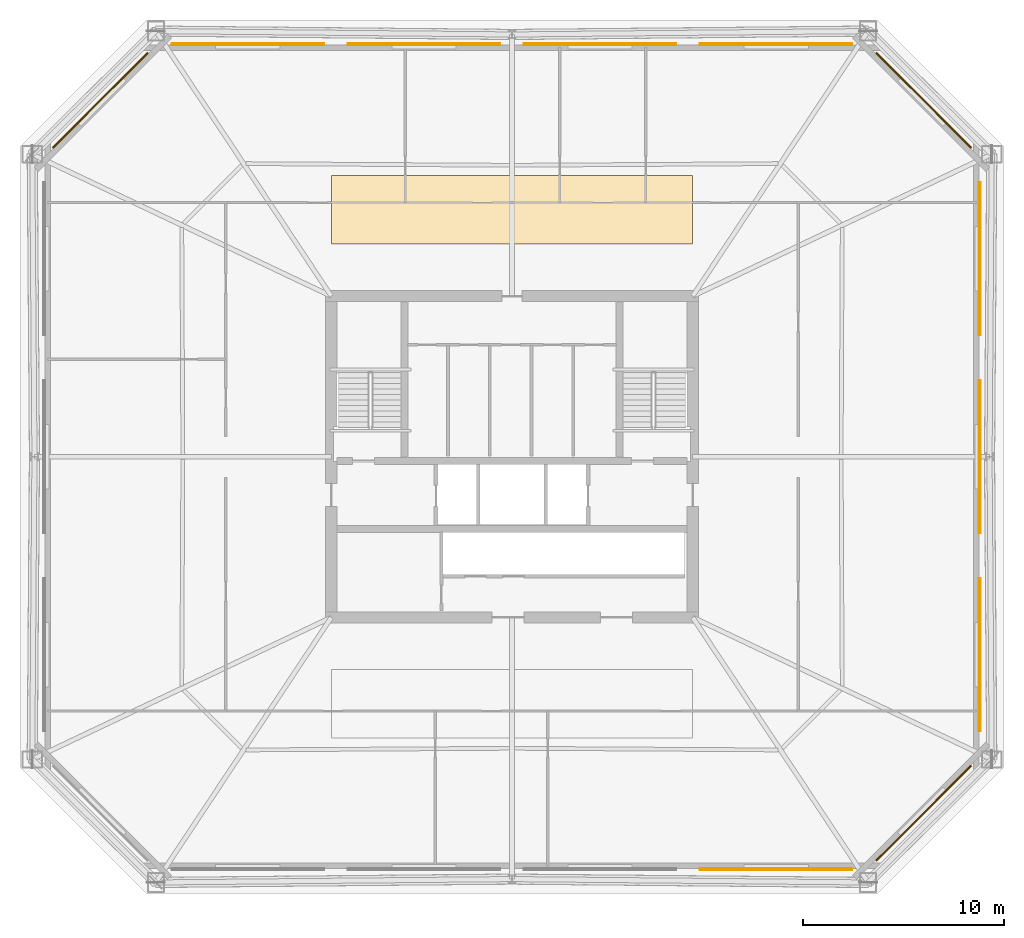
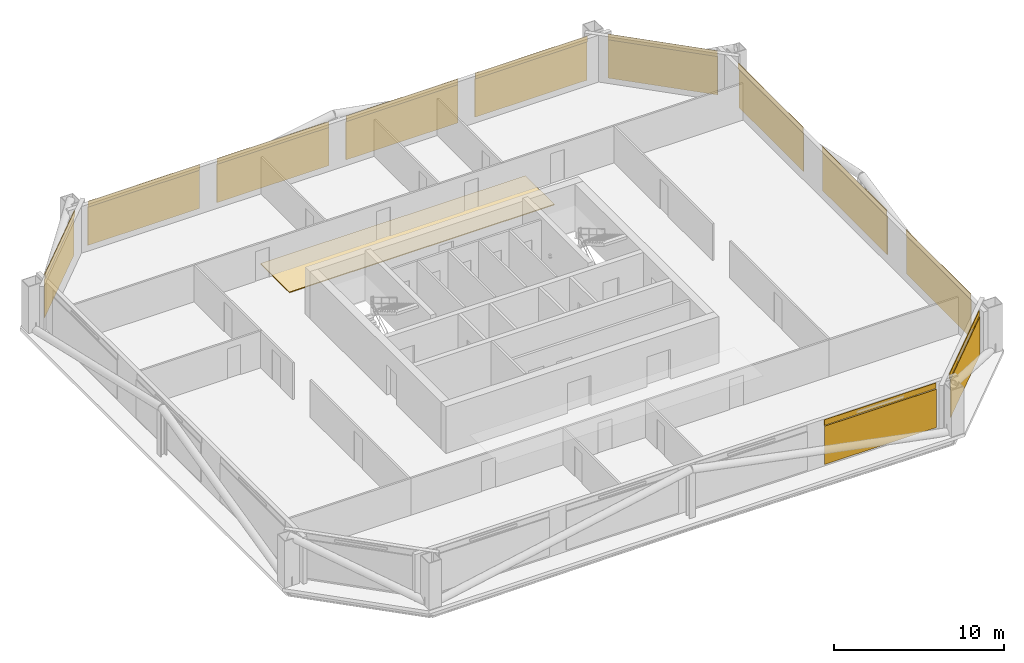
# One storey, part 6 of 6: 12 coverings, 11 shading devices.
"""IFC4 building model written with IfcOpenShell, lengths in metres."""

from ifc_helpers import new_model, si_unit, direction, frame, origin, origin_2d, place, context, subcontext, project, spatial, polyline, rectangle, outline, extrude, material, layer, layer_set, type_object, element, save


model = new_model("IFC4")

# Units and contexts
model_context = context("Model", 3, precision=1e-05, world=origin(), true_north=direction((0.0, 1.0)))
body_context = subcontext(model_context, "Body", "Model", "MODEL_VIEW")
ifc_project = project(units=[si_unit("LENGTHUNIT", "METRE"), si_unit("AREAUNIT", "SQUARE_METRE"), si_unit("VOLUMEUNIT", "CUBIC_METRE"), si_unit("PLANEANGLEUNIT", "RADIAN"), si_unit("MASSUNIT", "GRAM", prefix="KILO")], contexts=[model_context])

# Site, building, storey
site_placement = place(None, origin())
site = spatial("IfcSite", under=ifc_project, at=site_placement, CompositionType="ELEMENT")
building_placement = place(site_placement, origin())
building = spatial("IfcBuilding", under=site, at=building_placement, Name="Caelvoria Tower", CompositionType="ELEMENT")
storey_placement = place(building_placement, frame((0.0, 0.0, 149.199951171875)))
storey = spatial("IfcBuildingStorey", under=building, at=storey_placement, Name="L39", CompositionType="ELEMENT", Elevation=149.199951171875)

# Coverings
ifc_material_1 = material(Name="Perforated Architectural Bronze Cladding Screen", Category="bronze")
ifc_layer_1 = layer(ifc_material_1, 0.0400390625, Name="Perforated Architectural Bronze Cladding Screen")
ifc_layer_set_1 = layer_set([ifc_layer_1], Name="Perforated Bronze Louvre Cladding Band 40 - Perforated Architectural Bronze Cladding Screen")
covering_type_1 = type_object("IfcCoveringType", Name="Perforated Bronze Louvre Cladding Band 40", PredefinedType="CLADDING", material=ifc_layer_set_1)
covering_1_placement = place(storey_placement, frame((59.155029296875, 11.47802734375, 2.940185546875), z_axis=(0.0, 0.0, 1.0), x_axis=(1.0, 0.0, 0.0)))
element("IfcCovering", 1, at=covering_1_placement, inside=storey, type_object=covering_type_1, Name="Perforated Bronze Screen Band L39-E0-03", PredefinedType="CLADDING", context=body_context, shape_type="SweptSolid", body=[
    extrude(rectangle(XDim=7.60009765625, YDim=0.0400390625, at=origin_2d()), origin(), (0.0, 0.0, 1.0), 0.39990234375),
])
covering_2_placement = place(storey_placement, frame((66.481689453125, 14.268310546875, 2.940185546875), z_axis=(0.0, 0.0, 1.0), x_axis=(0.707106781187, 0.707106781187, 0.0)))
element("IfcCovering", 2, at=covering_2_placement, inside=storey, type_object=covering_type_1, Name="Perforated Bronze Screen Band L39-E1-00", PredefinedType="CLADDING", context=body_context, shape_type="SweptSolid", body=[
    extrude(rectangle(XDim=6.6787109375, YDim=0.0400390625, at=origin_2d()), origin(), (0.0, 0.0, 1.0), 0.39990234375),
])
for number, where, z_axis, x_axis, name in (
    (3, (69.27197265625, 22.139892578125, 2.940185546875), (0.0, 0.0, 1.0), (0.0, 1.0, 0.0), "Perforated Bronze Screen Band L39-E2-00"),
    (4, (69.27197265625, 32.0, 2.940185546875), (0.0, 0.0, 1.0), (0.0, 1.0, 0.0), "Perforated Bronze Screen Band L39-E2-01"),
    (5, (69.27197265625, 41.860107421875, 2.940185546875), (0.0, 0.0, 1.0), (0.0, 1.0, 0.0), "Perforated Bronze Screen Band L39-E2-02"),
):
    element("IfcCovering", number, at=place(storey_placement, frame(where, z_axis=z_axis, x_axis=x_axis)), inside=storey, type_object=covering_type_1, Name=name, PredefinedType="CLADDING", context=body_context, shape_type="SweptSolid", body=[
        extrude(rectangle(XDim=7.60009765625, YDim=0.0400390625, at=origin_2d()), origin(), (0.0, 0.0, 1.0), 0.39990234375),
    ])
covering_3_placement = place(storey_placement, frame((66.481689453125, 49.731689453125, 2.940185546875), z_axis=(0.0, 0.0, 1.0), x_axis=(-0.707106781187, 0.707106781187, 0.0)))
element("IfcCovering", 6, at=covering_3_placement, inside=storey, type_object=covering_type_1, Name="Perforated Bronze Screen Band L39-E3-00", PredefinedType="CLADDING", context=body_context, shape_type="SweptSolid", body=[
    extrude(rectangle(XDim=6.6787109375, YDim=0.0400390625, at=origin_2d()), origin(), (0.0, 0.0, 1.0), 0.39990234375),
])
for number, where, z_axis, x_axis, name in (
    (7, (59.155029296875, 52.52197265625, 2.940185546875), (0.0, 0.0, 1.0), (-1.0, 0.0, 0.0), "Perforated Bronze Screen Band L39-E4-00"),
    (8, (50.385009765625, 52.52197265625, 2.940185546875), (0.0, 0.0, 1.0), (-1.0, 0.0, 0.0), "Perforated Bronze Screen Band L39-E4-01"),
    (9, (41.614990234375, 52.52197265625, 2.940185546875), (0.0, 0.0, 1.0), (-1.0, 0.0, 0.0), "Perforated Bronze Screen Band L39-E4-02"),
    (10, (32.844970703125, 52.52197265625, 2.940185546875), (0.0, 0.0, 1.0), (-1.0, 0.0, 0.0), "Perforated Bronze Screen Band L39-E4-03"),
):
    element("IfcCovering", number, at=place(storey_placement, frame(where, z_axis=z_axis, x_axis=x_axis)), inside=storey, type_object=covering_type_1, Name=name, PredefinedType="CLADDING", context=body_context, shape_type="SweptSolid", body=[
        extrude(rectangle(XDim=7.60009765625, YDim=0.0400390625, at=origin_2d()), origin(), (0.0, 0.0, 1.0), 0.39990234375),
    ])
covering_4_placement = place(storey_placement, frame((25.518310546875, 49.731689453125, 2.940185546875), z_axis=(0.0, 0.0, 1.0), x_axis=(-0.707106781187, -0.707106781187, 0.0)))
element("IfcCovering", 11, at=covering_4_placement, inside=storey, type_object=covering_type_1, Name="Perforated Bronze Screen Band L39-E5-00", PredefinedType="CLADDING", context=body_context, shape_type="SweptSolid", body=[
    extrude(rectangle(XDim=6.6787109375, YDim=0.0400390625, at=origin_2d()), origin(), (0.0, 0.0, 1.0), 0.39990234375),
])

# Shading devices
ifc_material_2 = material(Name="Perforated Architectural Bronze Alloy Panel", Category="bronze")
ifc_layer_2 = layer(ifc_material_2, 0.044921875, Name="Perforated Architectural Bronze Alloy Panel")
ifc_layer_set_2 = layer_set([ifc_layer_2], Name="Perforated Bronze Solar Screen Panel SCREEN - Perforated Architectural Bronze Alloy Panel")
shading_device_type = type_object("IfcShadingDeviceType", Name="Perforated Bronze Solar Screen Panel SCREEN", PredefinedType="USERDEFINED", material=ifc_layer_set_2)
shading_device_1_placement = place(storey_placement, frame((59.155029296875, 11.43505859375, 0.16015625), z_axis=(0.0, 0.0, 1.0), x_axis=(1.0, 0.0, 0.0)))
element("IfcShadingDevice", 12, at=shading_device_1_placement, inside=storey, type_object=shading_device_type, Name="Perforated Bronze Solar Screen L39-E0-03", ObjectType="SCREEN", PredefinedType="USERDEFINED", context=body_context, shape_type="SweptSolid", body=[
    extrude(rectangle(XDim=7.60009765625, YDim=0.044921875, at=origin_2d()), origin(), (0.0, 0.0, 1.0), 2.75),
])
shading_device_2_placement = place(storey_placement, frame((66.51220703125, 14.23779296875, 0.16015625), z_axis=(0.0, 0.0, 1.0), x_axis=(0.707106781187, 0.707106781187, 0.0)))
element("IfcShadingDevice", 13, at=shading_device_2_placement, inside=storey, type_object=shading_device_type, Name="Perforated Bronze Solar Screen L39-E1-00", ObjectType="SCREEN", PredefinedType="USERDEFINED", context=body_context, shape_type="SweptSolid", body=[
    extrude(rectangle(XDim=6.6787109375, YDim=0.044921875, at=origin_2d()), origin(), (0.0, 0.0, 1.0), 2.75),
])
for number, where, z_axis, x_axis, name in (
    (14, (69.31494140625, 22.139892578125, 0.16015625), (0.0, 0.0, 1.0), (0.0, 1.0, 0.0), "Perforated Bronze Solar Screen L39-E2-00"),
    (15, (69.31494140625, 32.0, 0.16015625), (0.0, 0.0, 1.0), (0.0, 1.0, 0.0), "Perforated Bronze Solar Screen L39-E2-01"),
    (16, (69.31494140625, 41.860107421875, 0.16015625), (0.0, 0.0, 1.0), (0.0, 1.0, 0.0), "Perforated Bronze Solar Screen L39-E2-02"),
):
    element("IfcShadingDevice", number, at=place(storey_placement, frame(where, z_axis=z_axis, x_axis=x_axis)), inside=storey, type_object=shading_device_type, Name=name, ObjectType="SCREEN", PredefinedType="USERDEFINED", context=body_context, shape_type="SweptSolid", body=[
        extrude(rectangle(XDim=7.60009765625, YDim=0.044921875, at=origin_2d()), origin(), (0.0, 0.0, 1.0), 2.75),
    ])
shading_device_3_placement = place(storey_placement, frame((66.51220703125, 49.76220703125, 0.16015625), z_axis=(0.0, 0.0, 1.0), x_axis=(-0.707106781187, 0.707106781187, 0.0)))
element("IfcShadingDevice", 17, at=shading_device_3_placement, inside=storey, type_object=shading_device_type, Name="Perforated Bronze Solar Screen L39-E3-00", ObjectType="SCREEN", PredefinedType="USERDEFINED", context=body_context, shape_type="SweptSolid", body=[
    extrude(rectangle(XDim=6.6787109375, YDim=0.044921875, at=origin_2d()), origin(), (0.0, 0.0, 1.0), 2.75),
])
for number, where, z_axis, x_axis, name in (
    (18, (59.155029296875, 52.56494140625, 0.16015625), (0.0, 0.0, 1.0), (-1.0, 0.0, 0.0), "Perforated Bronze Solar Screen L39-E4-00"),
    (19, (50.385009765625, 52.56494140625, 0.16015625), (0.0, 0.0, 1.0), (-1.0, 0.0, 0.0), "Perforated Bronze Solar Screen L39-E4-01"),
    (20, (41.614990234375, 52.56494140625, 0.16015625), (0.0, 0.0, 1.0), (-1.0, 0.0, 0.0), "Perforated Bronze Solar Screen L39-E4-02"),
    (21, (32.844970703125, 52.56494140625, 0.16015625), (0.0, 0.0, 1.0), (-1.0, 0.0, 0.0), "Perforated Bronze Solar Screen L39-E4-03"),
):
    element("IfcShadingDevice", number, at=place(storey_placement, frame(where, z_axis=z_axis, x_axis=x_axis)), inside=storey, type_object=shading_device_type, Name=name, ObjectType="SCREEN", PredefinedType="USERDEFINED", context=body_context, shape_type="SweptSolid", body=[
        extrude(rectangle(XDim=7.60009765625, YDim=0.044921875, at=origin_2d()), origin(), (0.0, 0.0, 1.0), 2.75),
    ])
shading_device_4_placement = place(storey_placement, frame((25.48779296875, 49.76220703125, 0.16015625), z_axis=(0.0, 0.0, 1.0), x_axis=(-0.707106781187, -0.707106781187, 0.0)))
element("IfcShadingDevice", 22, at=shading_device_4_placement, inside=storey, type_object=shading_device_type, Name="Perforated Bronze Solar Screen L39-E5-00", ObjectType="SCREEN", PredefinedType="USERDEFINED", context=body_context, shape_type="SweptSolid", body=[
    extrude(rectangle(XDim=6.6787109375, YDim=0.044921875, at=origin_2d()), origin(), (0.0, 0.0, 1.0), 2.75),
])

# Covering
ifc_material_3 = material(Name="Calcium-Sulphate Raised Floor Tile", Category="gypsum")
ifc_layer_3 = layer(ifc_material_3, 0.06005859375, Name="Calcium-Sulphate Raised Floor Tile")
ifc_layer_set_3 = layer_set([ifc_layer_3], Name="Raised Access Office Floor System 120 - Calcium-Sulphate Raised Floor Tile")
covering_type_2 = type_object("IfcCoveringType", Name="Raised Access Office Floor System 120", PredefinedType="FLOORING", material=ifc_layer_set_3)
covering_5_placement = place(storey_placement, origin())
element("IfcCovering", 23, at=covering_5_placement, inside=storey, type_object=covering_type_2, Name="Raised Access Flooring L39", PredefinedType="FLOORING", context=body_context, shape_type="SweptSolid", body=[
    extrude(outline(polyline([(37.0, 42.60009765625), (55.0, 42.60009765625), (55.0, 46.0), (37.0, 46.0), (37.0, 42.60009765625)])), origin(), (0.0, 0.0, 1.0), 0.06005859375),
])

save(model, "model.ifc")
